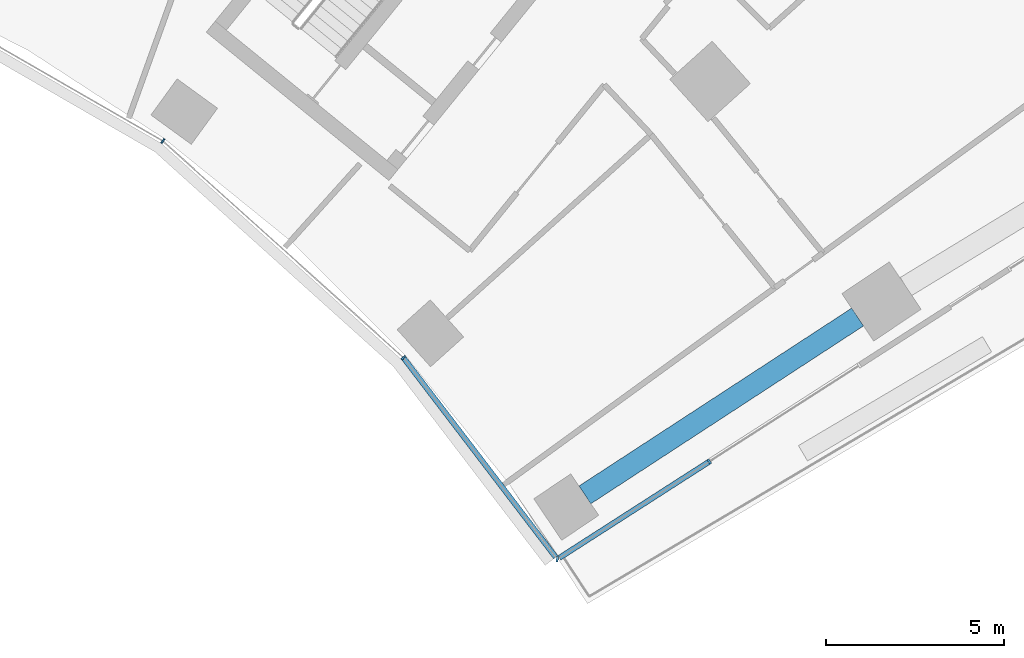
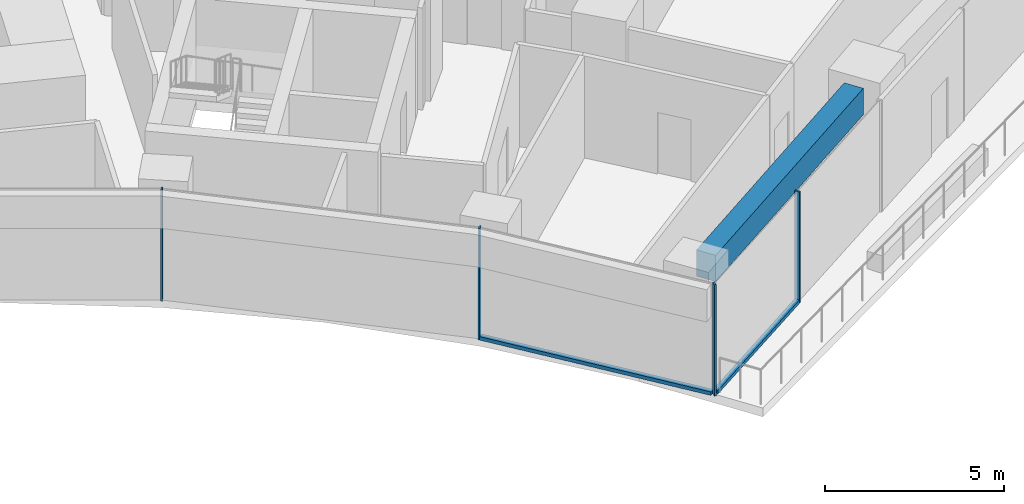
# One storey, part 8 of 21: 6 members, 1 beam, 2 elements without a shape of their own.
"""IFC4 building model written with IfcOpenShell, lengths in metres."""

from ifc_helpers import new_model, si_unit, direction, frame, origin, origin_2d, place, context, subcontext, project, spatial, rectangle, extrude, material, layer, layer_set, material_profile, profile_set, type_object, element, aggregate, save


model = new_model("IFC4")

# Units and contexts
model_context = context("Model", 3, precision=1e-05, world=origin(), true_north=direction((0.0, 1.0)))
body_context = subcontext(model_context, "Body", "Model", "MODEL_VIEW")
ifc_project = project(units=[si_unit("LENGTHUNIT", "METRE"), si_unit("AREAUNIT", "SQUARE_METRE"), si_unit("VOLUMEUNIT", "CUBIC_METRE"), si_unit("PLANEANGLEUNIT", "RADIAN"), si_unit("MASSUNIT", "GRAM", prefix="KILO")], contexts=[model_context])

# Site, building, storey
site_placement = place(None, origin())
site = spatial("IfcSite", under=ifc_project, at=site_placement, CompositionType="ELEMENT")
building_placement = place(site_placement, origin())
building = spatial("IfcBuilding", under=site, at=building_placement, Name="Stone Belt Terrace Tower", CompositionType="ELEMENT")
storey_placement = place(building_placement, frame((0.0, 0.0, 45.199951171875)))
storey = spatial("IfcBuildingStorey", under=building, at=storey_placement, Name="L10", CompositionType="ELEMENT", Elevation=45.199951171875)

# Curtain wall, members
ifc_material_1 = material(Name="Aluminium 6063-T6 anodised frame", Category="aluminium")
ifc_layer_1 = layer(ifc_material_1, 0.14990234375)
ifc_layer_set_1 = layer_set([ifc_layer_1], Name="CW-B unitised concave-face curtain wall")
curtain_wall_type_1 = type_object("IfcCurtainWallType", Name="CW-B unitised concave-face curtain wall", PredefinedType="NOTDEFINED", material=ifc_layer_set_1)
curtain_wall_1_placement = place(storey_placement, origin())
curtain_wall_1 = element("IfcCurtainWall", 1, at=curtain_wall_1_placement, inside=storey, type_object=curtain_wall_type_1, Name="CW-B concave face L10", PredefinedType="NOTDEFINED")
ifc_material_profile_1 = material_profile(ifc_material_1, rectangle(XDim=0.14990234375, YDim=0.050048828125, at=origin_2d()), Name="Aluminium 6063-T6 50x150")
ifc_profile_set_1 = profile_set([ifc_material_profile_1], Name="Aluminium 6063-T6 anodised frame")
member_type_1 = type_object("IfcMemberType", Name="CW-B mullion 50 x 150", PredefinedType="MULLION", material=ifc_profile_set_1)
member_1_placement = place(storey_placement, frame((25.5244140625, 35.13134765625, 0.0), z_axis=(0.0, 0.0, 1.0), x_axis=(0.587785252292, 0.809016994375, 0.0)))
member_1 = element("IfcMember", 2, at=member_1_placement, type_object=member_type_1, Name="CW-B mullion 9", PredefinedType="MULLION", context=body_context, shape_type="SweptSolid", body=[
    extrude(rectangle(XDim=0.14990234375, YDim=0.050048828125, at=origin_2d()), origin(), (0.0, 0.0, 1.0), 3.800048828125),
])
member_2_placement = place(storey_placement, frame((32.271484375, 29.05615234375, 0.0), z_axis=(0.0, 0.0, 1.0), x_axis=(0.735197945391, 0.677852477382, 0.0)))
member_2 = element("IfcMember", 3, at=member_2_placement, type_object=member_type_1, Name="CW-B mullion 10", PredefinedType="MULLION", context=body_context, shape_type="SweptSolid", body=[
    extrude(rectangle(XDim=0.14990234375, YDim=0.050048828125, at=origin_2d()), origin(), (0.0, 0.0, 1.0), 3.800048828125),
])
ifc_material_profile_2 = material_profile(ifc_material_1, rectangle(XDim=0.14990234375, YDim=0.1201171875, at=origin_2d()), Name="Aluminium 6063-T6 150x120")
ifc_profile_set_2 = profile_set([ifc_material_profile_2], Name="Aluminium 6063-T6 anodised frame")
member_type_2 = type_object("IfcMemberType", Name="CW-B transom 120 x 150", PredefinedType="USERDEFINED", material=ifc_profile_set_2)
member_3_placement = place(storey_placement, frame((32.290771484375, 29.03076171875, 0.06005859375), z_axis=(0.606726017756, -0.794911026076, 0.0), x_axis=(0.794911026076, 0.606726017756, 0.0)))
member_3 = element("IfcMember", 4, at=member_3_placement, type_object=member_type_2, Name="CW-B transom 10.1", ObjectType="TRANSOM", PredefinedType="USERDEFINED", context=body_context, shape_type="SweptSolid", body=[
    extrude(rectangle(XDim=0.14990234375, YDim=0.1201171875, at=origin_2d()), origin(), (0.0, 0.0, 1.0), 7.0107421875),
])
aggregate(curtain_wall_1, [member_1, member_2, member_3])

ifc_layer_2 = layer(ifc_material_1, 0.14990234375)
ifc_layer_set_2 = layer_set([ifc_layer_2], Name="CW-C stick curtain wall, horn ends and notches")
curtain_wall_type_2 = type_object("IfcCurtainWallType", Name="CW-C stick curtain wall, horn ends and notches", PredefinedType="NOTDEFINED", material=ifc_layer_set_2)
curtain_wall_2_placement = place(storey_placement, origin())
curtain_wall_2 = element("IfcCurtainWall", 5, at=curtain_wall_2_placement, inside=storey, type_object=curtain_wall_type_2, Name="CW-C end face L10", PredefinedType="NOTDEFINED")
ifc_material_profile_3 = material_profile(ifc_material_1, rectangle(XDim=0.14990234375, YDim=0.06005859375, at=origin_2d()), Name="Aluminium 6063-T6 60x150")
ifc_profile_set_3 = profile_set([ifc_material_profile_3], Name="Aluminium 6063-T6 anodised frame")
member_type_3 = type_object("IfcMemberType", Name="CW-C mullion 60 x 150", PredefinedType="MULLION", material=ifc_profile_set_3)
member_4_placement = place(storey_placement, frame((36.58642578125, 23.402587890625, 0.0), z_axis=(0.0, 0.0, 1.0), x_axis=(0.173164046531, 0.984892995705, 0.0)))
member_4 = element("IfcMember", 6, at=member_4_placement, type_object=member_type_3, Name="CW-C mullion 1", PredefinedType="MULLION", context=body_context, shape_type="SweptSolid", body=[
    extrude(rectangle(XDim=0.14990234375, YDim=0.06005859375, at=origin_2d()), origin(), (0.0, 0.0, 1.0), 3.800048828125),
])
member_5_placement = place(storey_placement, frame((40.851806640625, 26.1416015625, 0.0), z_axis=(0.0, 0.0, 1.0), x_axis=(-0.540302305869, 0.841470984807, 0.0)))
member_5 = element("IfcMember", 7, at=member_5_placement, type_object=member_type_3, Name="CW-C mullion 2", PredefinedType="MULLION", context=body_context, shape_type="SweptSolid", body=[
    extrude(rectangle(XDim=0.14990234375, YDim=0.06005859375, at=origin_2d()), origin(), (0.0, 0.0, 1.0), 3.800048828125),
])
ifc_material_profile_4 = material_profile(ifc_material_1, rectangle(XDim=0.14990234375, YDim=0.1201171875, at=origin_2d()), Name="Aluminium 6063-T6 150x120")
ifc_profile_set_4 = profile_set([ifc_material_profile_4], Name="Aluminium 6063-T6 anodised frame")
member_type_4 = type_object("IfcMemberType", Name="CW-C transom 120 x 150", PredefinedType="USERDEFINED", material=ifc_profile_set_4)
member_6_placement = place(storey_placement, frame((36.647705078125, 23.442138671875, 0.06005859375), z_axis=(0.841486614614, 0.540277963113, 0.0), x_axis=(-0.540277963113, 0.841486614614, 0.0)))
member_6 = element("IfcMember", 8, at=member_6_placement, type_object=member_type_4, Name="CW-C transom 1.1", ObjectType="TRANSOM", PredefinedType="USERDEFINED", context=body_context, shape_type="SweptSolid", body=[
    extrude(rectangle(XDim=0.14990234375, YDim=0.1201171875, at=origin_2d()), origin(), (0.0, 0.0, 1.0), 4.966064453125),
])
aggregate(curtain_wall_2, [member_4, member_5, member_6])

# Beam
ifc_material_2 = material(Name="Concrete B60", Category="concrete")
ifc_material_profile_5 = material_profile(ifc_material_2, rectangle(XDim=0.60009765625, YDim=0.89990234375, at=origin_2d()), Name="RC 600x900")
ifc_profile_set_5 = profile_set([ifc_material_profile_5], Name="Concrete B60")
beam_type = type_object("IfcBeamType", Name="Edge beam RC 600x900 B60", PredefinedType="SPANDREL", material=ifc_profile_set_5)
beam_placement = place(storey_placement, frame((37.36181640625, 25.20703125, 3.030029296875), z_axis=(0.837606341505, 0.546274305337, 0.0), x_axis=(-0.546274305337, 0.837606341505, 0.0)))
element("IfcBeam", 9, at=beam_placement, inside=storey, type_object=beam_type, Name="Edge beam L10 B P to Q", PredefinedType="SPANDREL", context=body_context, shape_type="SweptSolid", body=[
    extrude(rectangle(XDim=0.60009765625, YDim=0.89990234375, at=origin_2d()), origin(), (0.0, 0.0, 1.0), 9.131103515625),
])

save(model, "model.ifc")
